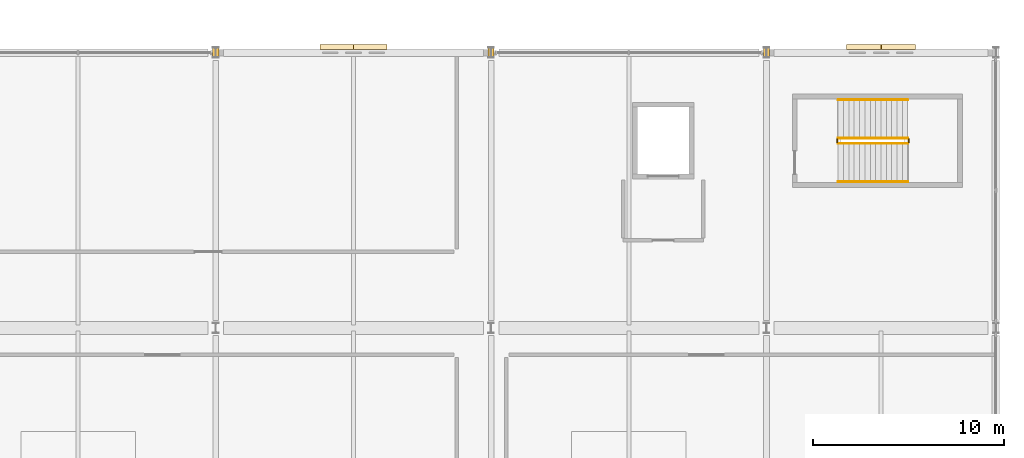
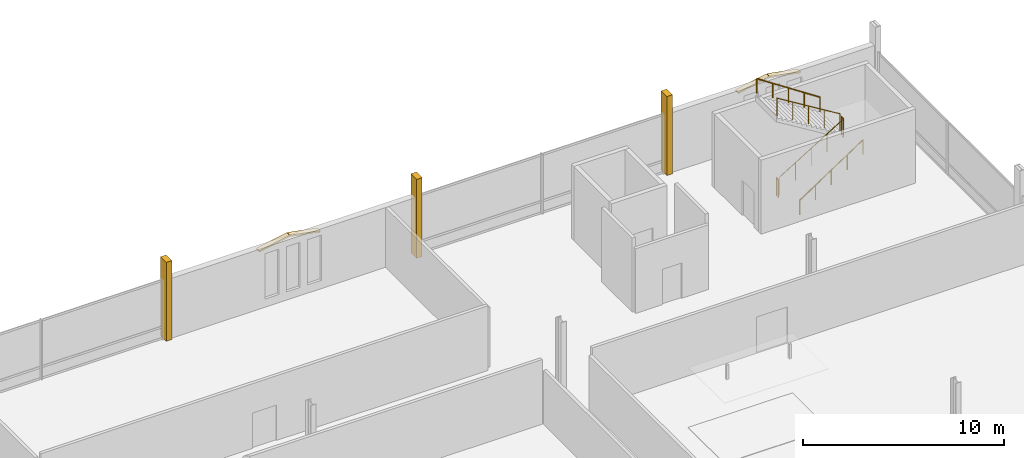
# One storey, part 218 of 220: 7 coverings, 6 railings.
"""IFC4 building model written with IfcOpenShell, lengths in metres."""

from ifc_helpers import new_model, si_unit, direction, frame, origin, origin_2d, place, context, subcontext, project, spatial, polyline, circle, outline, extrude, material, layer, layer_set, type_object, element, save


model = new_model("IFC4")

# Units and contexts
model_context = context("Model", 3, precision=1e-05, world=origin(), true_north=direction((0.0, 1.0)))
body_context = subcontext(model_context, "Body", "Model", "MODEL_VIEW")
ifc_project = project(units=[si_unit("LENGTHUNIT", "METRE"), si_unit("AREAUNIT", "SQUARE_METRE"), si_unit("VOLUMEUNIT", "CUBIC_METRE"), si_unit("PLANEANGLEUNIT", "RADIAN"), si_unit("MASSUNIT", "GRAM", prefix="KILO")], contexts=[model_context])

# Site, building, storey
site_placement = place(None, origin())
site = spatial("IfcSite", under=ifc_project, at=site_placement, CompositionType="ELEMENT")
building_placement = place(site_placement, origin())
building = spatial("IfcBuilding", under=site, at=building_placement, Name="Cendralis Lancet Convention Centre", CompositionType="ELEMENT")
storey_placement = place(building_placement, frame((0.0, 0.0, 5.39990234375)))
storey = spatial("IfcBuildingStorey", under=building, at=storey_placement, Name="L01", CompositionType="ELEMENT", Elevation=5.39990234375)

# Coverings
ifc_material_1 = material(Name="Warm buff sandstone chevron cassette", Category="masonry")
ifc_layer = layer(ifc_material_1, 0.06005859375, Name="Warm buff sandstone chevron cassette")
ifc_layer_set = layer_set([ifc_layer], Name="Warm buff sandstone chevron cassette")
covering_type = type_object("IfcCoveringType", Name="ARC-CV-CLAD1", PredefinedType="CLADDING", material=ifc_layer_set)
for number, where, z_axis, x_axis, name in (
    (1, (173.43994140625, 137.239990234375, 3.27001953125), (-0.187993527685, 0.0, 0.982170267086), (0.0, -1.0, 0.0), "L01 Gothic Pointed Lancet Hood-Mould #0185L"),
    (2, (175.2099609375, 137.239990234375, 3.60498046875), (0.187993527685, 0.0, 0.982170267086), (0.0, -1.0, 0.0), "L01 Gothic Pointed Lancet Hood-Mould #0186R"),
):
    element("IfcCovering", number, at=place(storey_placement, frame(where, z_axis=z_axis, x_axis=x_axis)), inside=storey, type_object=covering_type, Name=name, PredefinedType="CLADDING", context=body_context, shape_type="SweptSolid", body=[
        extrude(outline(polyline([(0.0, 0.0), (0.284912109375, 0.0), (0.284912109375, 1.7817684556784807), (0.0, 1.7817684556784807), (0.0, 0.0)])), origin(), (0.0, 0.0, -1.0), 0.090087890625),
    ])
for number, where, z_axis, x_axis, name in (
    (3, (201.0, 137.239990234375, 3.27001953125), (-0.183932374671, 0.0, 0.982938900211), (0.0, -1.0, 0.0), "L01 Gothic Pointed Lancet Hood-Mould #0187L"),
    (4, (202.81005859375, 137.239990234375, 3.60498046875), (0.183932374671, 0.0, 0.982938900211), (0.0, -1.0, 0.0), "L01 Gothic Pointed Lancet Hood-Mould #0188R"),
):
    element("IfcCovering", number, at=place(storey_placement, frame(where, z_axis=z_axis, x_axis=x_axis)), inside=storey, type_object=covering_type, Name=name, PredefinedType="CLADDING", context=body_context, shape_type="SweptSolid", body=[
        extrude(outline(polyline([(0.0, 0.0), (0.284912109375, 0.0), (0.284912109375, 1.8211091880847667), (0.0, 1.8211091880847667), (0.0, 0.0)])), origin(), (0.0, 0.0, -1.0), 0.090087890625),
    ])
covering_1_placement = place(storey_placement, origin())
element("IfcCovering", 5, at=covering_1_placement, inside=storey, type_object=covering_type, Name="Exterior Column Stone Fire-Casing L01 #062", PredefinedType="CLADDING", context=body_context, shape_type="SweptSolid", body=[
    extrude(outline(polyline([(167.837890625, 136.512939453125), (168.162109375, 136.512939453125), (168.162109375, 137.0869140625), (167.837890625, 137.0869140625), (167.837890625, 136.512939453125)])), origin(), (0.0, 0.0, 1.0), 4.800048828125),
])
covering_2_placement = place(storey_placement, origin())
element("IfcCovering", 6, at=covering_2_placement, inside=storey, type_object=covering_type, Name="Exterior Column Stone Fire-Casing L01 #068", PredefinedType="CLADDING", context=body_context, shape_type="SweptSolid", body=[
    extrude(outline(polyline([(182.238037109375, 136.512939453125), (182.56201171875, 136.512939453125), (182.56201171875, 137.0869140625), (182.238037109375, 137.0869140625), (182.238037109375, 136.512939453125)])), origin(), (0.0, 0.0, 1.0), 4.800048828125),
])
covering_3_placement = place(storey_placement, origin())
element("IfcCovering", 7, at=covering_3_placement, inside=storey, type_object=covering_type, Name="Exterior Column Stone Fire-Casing L01 #074", PredefinedType="CLADDING", context=body_context, shape_type="SweptSolid", body=[
    extrude(outline(polyline([(196.637939453125, 136.512939453125), (196.9619140625, 136.512939453125), (196.9619140625, 137.0869140625), (196.637939453125, 137.0869140625), (196.637939453125, 136.512939453125)])), origin(), (0.0, 0.0, 1.0), 4.800048828125),
])

# Railings
ifc_material_2 = material(Name="Steel S355", Category="steel")
railing_type_1 = type_object("IfcRailingType", Name="ARC-RL-CGD", PredefinedType="GUARDRAIL", material=ifc_material_2)
railing_1_placement = place(storey_placement, frame((200.550048828125, 132.050048828125, 0.171630859375)))
element("IfcRailing", 8, at=railing_1_placement, inside=storey, type_object=railing_type_1, Name="L01 ST-06 stair guard 1", PredefinedType="GUARDRAIL", context=body_context, shape_type="SweptSolid", body=[
    extrude(circle(Radius=0.02392578125, at=origin_2d()), frame((0.0, 0.0, 1.076171875), z_axis=(0.852850264322, 0.0, 0.5221555579), x_axis=(0.0, 1.0, 0.0)), (0.0, 0.0, 1.0), 4.267822265625),
    extrude(circle(Radius=0.02099609375, at=origin_2d()), origin(), (0.0, 0.0, 1.0), 1.052001953125),
    extrude(circle(Radius=0.02099609375, at=origin_2d()), frame((0.909912109375, 0.0, 0.55712890625)), (0.0, 0.0, 1.0), 1.052001953125),
    extrude(circle(Radius=0.02099609375, at=origin_2d()), frame((1.81982421875, 0.0, 1.1142578125)), (0.0, 0.0, 1.0), 1.052001953125),
    extrude(circle(Radius=0.02099609375, at=origin_2d()), frame((2.72998046875, 0.0, 1.67138671875)), (0.0, 0.0, 1.0), 1.052001953125),
    extrude(circle(Radius=0.02099609375, at=origin_2d()), frame((3.639892578125, 0.0, 2.228515625)), (0.0, 0.0, 1.0), 1.052001953125),
])
railing_2_placement = place(storey_placement, frame((204.239990234375, 132.10009765625, 2.400146484375)))
element("IfcRailing", 9, at=railing_2_placement, inside=storey, type_object=railing_type_1, Name="L01 ST-06 stair guard 2", PredefinedType="GUARDRAIL", context=body_context, shape_type="SweptSolid", body=[
    extrude(circle(Radius=0.02392578125, at=origin_2d()), frame((0.0, 0.0, 1.076171875), z_axis=(0.0, 1.0, 0.0), x_axis=(-1.0, 0.0, 0.0)), (0.0, 0.0, 1.0), 0.179931640625),
    extrude(circle(Radius=0.02099609375, at=origin_2d()), origin(), (0.0, 0.0, 1.0), 1.052001953125),
    extrude(circle(Radius=0.02099609375, at=origin_2d()), frame((0.0, 0.179931640625, 0.0)), (0.0, 0.0, 1.0), 1.052001953125),
])
railing_3_placement = place(storey_placement, frame((204.18994140625, 132.330078125, 2.571533203125)))
element("IfcRailing", 10, at=railing_3_placement, inside=storey, type_object=railing_type_1, Name="L01 ST-06 stair guard 3", PredefinedType="GUARDRAIL", context=body_context, shape_type="SweptSolid", body=[
    extrude(circle(Radius=0.02392578125, at=origin_2d()), frame((0.0, 0.0, 1.076171875), z_axis=(-0.852850264322, 0.0, 0.5221555579), x_axis=(0.0, -1.0, 0.0)), (0.0, 0.0, 1.0), 4.267822265625),
    extrude(circle(Radius=0.02099609375, at=origin_2d()), origin(), (0.0, 0.0, 1.0), 1.052001953125),
    extrude(circle(Radius=0.02099609375, at=origin_2d()), frame((-0.909912109375, 0.0, 0.55712890625)), (0.0, 0.0, 1.0), 1.052001953125),
    extrude(circle(Radius=0.02099609375, at=origin_2d()), frame((-1.81982421875, 0.0, 1.1142578125)), (0.0, 0.0, 1.0), 1.052001953125),
    extrude(circle(Radius=0.02099609375, at=origin_2d()), frame((-2.72998046875, 0.0, 1.67138671875)), (0.0, 0.0, 1.0), 1.052001953125),
    extrude(circle(Radius=0.02099609375, at=origin_2d()), frame((-3.639892578125, 0.0, 2.228515625)), (0.0, 0.0, 1.0), 1.052001953125),
])
railing_4_placement = place(storey_placement, frame((200.5, 132.10009765625, 0.0)))
element("IfcRailing", 11, at=railing_4_placement, inside=storey, type_object=railing_type_1, Name="L01 ST-06 stair guard 4", PredefinedType="GUARDRAIL", context=body_context, shape_type="SweptSolid", body=[
    extrude(circle(Radius=0.02392578125, at=origin_2d()), frame((0.0, 0.0, 1.076171875), z_axis=(0.0, 1.0, 0.0), x_axis=(-1.0, 0.0, 0.0)), (0.0, 0.0, 1.0), 0.179931640625),
    extrude(circle(Radius=0.02099609375, at=origin_2d()), origin(), (0.0, 0.0, 1.0), 1.052001953125),
    extrude(circle(Radius=0.02099609375, at=origin_2d()), frame((0.0, 0.179931640625, 0.0)), (0.0, 0.0, 1.0), 1.052001953125),
])
railing_type_2 = type_object("IfcRailingType", Name="ARC-RL-CHR", PredefinedType="HANDRAIL", material=ifc_material_2)
railing_5_placement = place(storey_placement, frame((200.550048828125, 130.050048828125, 0.171630859375)))
element("IfcRailing", 12, at=railing_5_placement, inside=storey, type_object=railing_type_2, Name="L01 ST-06 stair handrail 1", PredefinedType="HANDRAIL", context=body_context, shape_type="SweptSolid", body=[
    extrude(circle(Radius=0.02392578125, at=origin_2d()), frame((0.0, 0.0, 0.8759765625), z_axis=(0.834865213223, 0.0, 0.550454426587), x_axis=(0.0, 1.0, 0.0)), (0.0, 0.0, 1.0), 4.35986328125),
    extrude(circle(Radius=0.02099609375, at=origin_2d()), origin(), (0.0, 0.0, 1.0), 0.851806640625),
    extrude(circle(Radius=0.02099609375, at=origin_2d()), frame((0.909912109375, 0.0, 0.60009765625)), (0.0, 0.0, 1.0), 0.851806640625),
    extrude(circle(Radius=0.02099609375, at=origin_2d()), frame((1.81982421875, 0.0, 1.199951171875)), (0.0, 0.0, 1.0), 0.851806640625),
    extrude(circle(Radius=0.02099609375, at=origin_2d()), frame((2.72998046875, 0.0, 1.7998046875)), (0.0, 0.0, 1.0), 0.851806640625),
    extrude(circle(Radius=0.02099609375, at=origin_2d()), frame((3.639892578125, 0.0, 2.39990234375)), (0.0, 0.0, 1.0), 0.851806640625),
])
railing_6_placement = place(storey_placement, frame((204.18994140625, 134.330078125, 2.571533203125)))
element("IfcRailing", 13, at=railing_6_placement, inside=storey, type_object=railing_type_2, Name="L01 ST-06 stair handrail 2", PredefinedType="HANDRAIL", context=body_context, shape_type="SweptSolid", body=[
    extrude(circle(Radius=0.02392578125, at=origin_2d()), frame((0.0, 0.0, 0.8759765625), z_axis=(-0.834865213223, 0.0, 0.550454426587), x_axis=(0.0, -1.0, 0.0)), (0.0, 0.0, 1.0), 4.35986328125),
    extrude(circle(Radius=0.02099609375, at=origin_2d()), origin(), (0.0, 0.0, 1.0), 0.851806640625),
    extrude(circle(Radius=0.02099609375, at=origin_2d()), frame((-0.909912109375, 0.0, 0.60009765625)), (0.0, 0.0, 1.0), 0.851806640625),
    extrude(circle(Radius=0.02099609375, at=origin_2d()), frame((-1.81982421875, 0.0, 1.199951171875)), (0.0, 0.0, 1.0), 0.851806640625),
    extrude(circle(Radius=0.02099609375, at=origin_2d()), frame((-2.72998046875, 0.0, 1.7998046875)), (0.0, 0.0, 1.0), 0.851806640625),
    extrude(circle(Radius=0.02099609375, at=origin_2d()), frame((-3.639892578125, 0.0, 2.39990234375)), (0.0, 0.0, 1.0), 0.851806640625),
])

save(model, "model.ifc")
